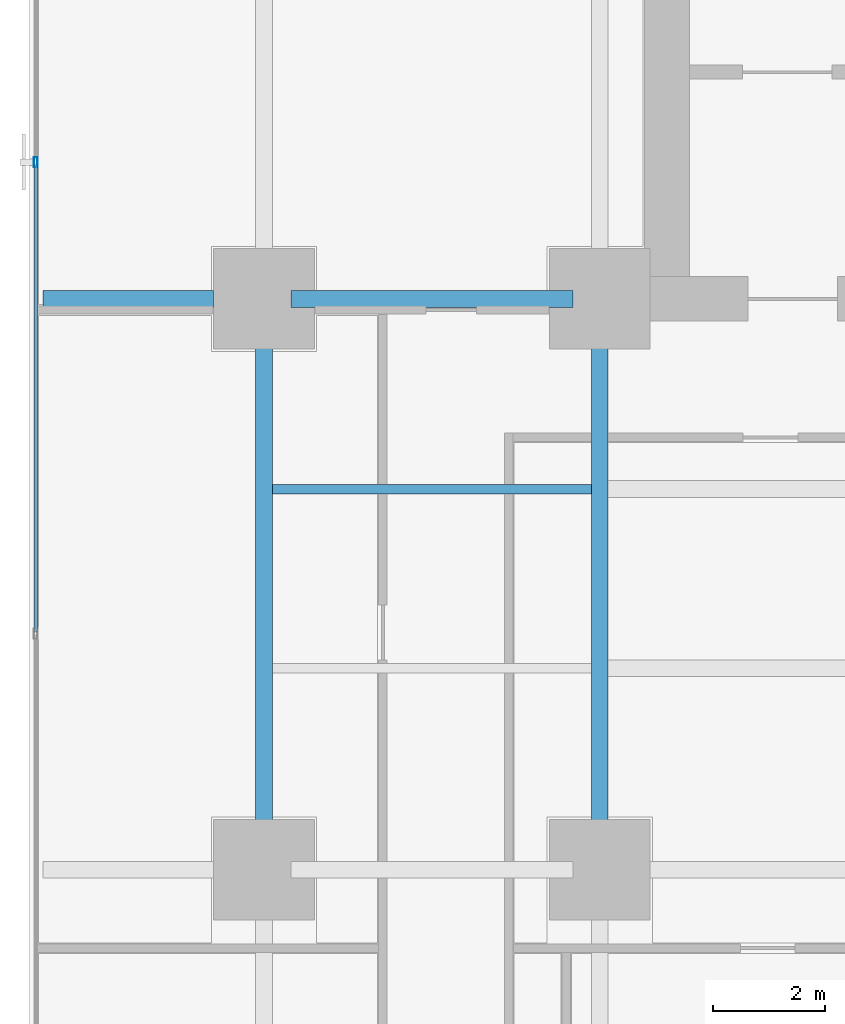
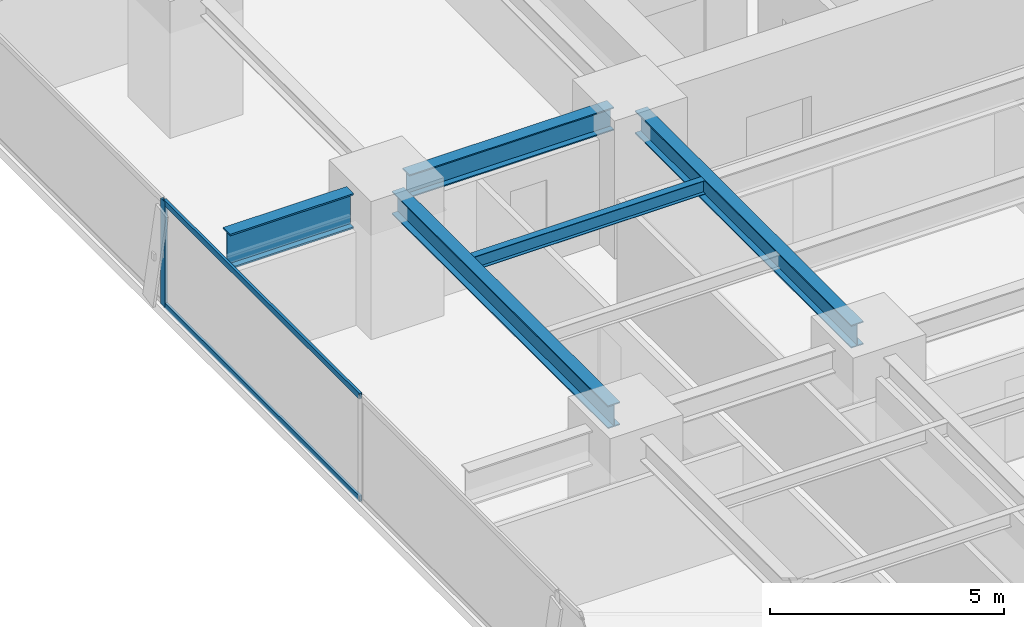
# One storey, part 15 of 32: 5 beams, 3 members, 1 element without a shape of its own.
"""IFC4 building model written with IfcOpenShell, lengths in metres."""

from ifc_helpers import new_model, si_unit, direction, frame, origin, origin_2d, place, context, subcontext, project, spatial, hollow_rectangle, i_section, extrude, source, transform, mapped, material, layer, layer_set, material_profile, profile_set, type_object, element, aggregate, save


model = new_model("IFC4")

# Units and contexts
model_context = context("Model", 3, precision=1e-05, world=origin(), true_north=direction((0.0, 1.0)))
body_context = subcontext(model_context, "Body", "Model", "MODEL_VIEW")
ifc_project = project(units=[si_unit("LENGTHUNIT", "METRE"), si_unit("AREAUNIT", "SQUARE_METRE"), si_unit("VOLUMEUNIT", "CUBIC_METRE"), si_unit("PLANEANGLEUNIT", "RADIAN"), si_unit("MASSUNIT", "GRAM", prefix="KILO")], contexts=[model_context])

# Site, building, storey
site_placement = place(None, origin())
site = spatial("IfcSite", under=ifc_project, at=site_placement, CompositionType="ELEMENT")
building_placement = place(site_placement, origin())
building = spatial("IfcBuilding", under=site, at=building_placement, Name="Sumidabori Civic Tower", CompositionType="ELEMENT")
storey_placement = place(building_placement, frame((0.0, 0.0, 52.39990234375)))
storey = spatial("IfcBuildingStorey", under=building, at=storey_placement, Name="L13", CompositionType="ELEMENT", Elevation=52.39990234375)

# Beams
ifc_material_1 = material(Name="Steel SN490", Category="steel")
ifc_material_profile_1 = material_profile(ifc_material_1, i_section(OverallWidth=0.300048828125, OverallDepth=0.60009765625, WebThickness=0.015380859375, FlangeThickness=0.030029296875, at=origin_2d()), Name="HE 600 B")
ifc_profile_set_1 = profile_set([ifc_material_profile_1], Name="Steel SN490")
beam_type_1 = type_object("IfcBeamType", Name="BM-GIRD-600", PredefinedType="BEAM", material=ifc_profile_set_1)
shared_shape_1 = source(origin(), body_context, "Body", "SweptSolid", [
    extrude(i_section(OverallWidth=0.300048828125, OverallDepth=0.60009765625, WebThickness=0.015380859375, FlangeThickness=0.030029296875, at=origin_2d()), origin(), (0.0, 0.0, 1.0), 5.0400390625),
])
beam_1_placement = place(storey_placement, frame((-22.320068359375, 10.199951171875, 3.06005859375), z_axis=(1.0, 0.0, 0.0), x_axis=(0.0, 1.0, 0.0)))
element("IfcBeam", 1, at=beam_1_placement, inside=storey, type_object=beam_type_1, Name="Primary Girder L13 GX-19", PredefinedType="BEAM", context=body_context, shape_type="MappedRepresentation", body=[
    mapped(shared_shape_1, transform((0.0, 0.0, 0.0), x_axis=(1.0, 0.0, 0.0), y_axis=(0.0, 1.0, 0.0), z_axis=(0.0, 0.0, 1.0), scale=1.0)),
])
shared_shape_2 = source(origin(), body_context, "Body", "SweptSolid", [
    extrude(i_section(OverallWidth=0.300048828125, OverallDepth=0.60009765625, WebThickness=0.015380859375, FlangeThickness=0.030029296875, at=origin_2d()), origin(), (0.0, 0.0, 1.0), 9.239990234375),
])
for number, where, z_axis, x_axis, name in (
    (2, (-22.800048828125, 0.47998046875, 3.06005859375), (0.0, 1.0, 0.0), (-1.0, 0.0, 0.0), "Primary Girder L13 GY-23"),
    (3, (-16.800048828125, 0.47998046875, 3.06005859375), (0.0, 1.0, 0.0), (-1.0, 0.0, 0.0), "Primary Girder L13 GY-27"),
):
    element("IfcBeam", number, at=place(storey_placement, frame(where, z_axis=z_axis, x_axis=x_axis)), inside=storey, type_object=beam_type_1, Name=name, PredefinedType="BEAM", context=body_context, shape_type="MappedRepresentation", body=[
        mapped(shared_shape_2, transform((0.0, 0.0, 0.0), x_axis=(1.0, 0.0, 0.0), y_axis=(0.0, 1.0, 0.0), z_axis=(0.0, 0.0, 1.0), scale=1.0)),
    ])
ifc_material_profile_2 = material_profile(ifc_material_1, i_section(OverallWidth=0.302001953125, OverallDepth=0.909912109375, WebThickness=0.02099609375, FlangeThickness=0.0400390625, at=origin_2d()), Name="HE 900 M")
ifc_profile_set_2 = profile_set([ifc_material_profile_2], Name="Steel SN490")
beam_type_2 = type_object("IfcBeamType", Name="BM-Z1-EDGE", PredefinedType="SPANDREL", material=ifc_profile_set_2)
shared_shape_3 = source(origin(), body_context, "Body", "SweptSolid", [
    extrude(i_section(OverallWidth=0.302001953125, OverallDepth=0.909912109375, WebThickness=0.02099609375, FlangeThickness=0.0400390625, at=origin_2d()), origin(), (0.0, 0.0, 1.0), 3.050048828125),
])
beam_2_placement = place(storey_placement, frame((-26.75, 10.199951171875, 2.905029296875), z_axis=(1.0, 0.0, 0.0), x_axis=(0.0, 1.0, 0.0)))
element("IfcBeam", 4, at=beam_2_placement, inside=storey, type_object=beam_type_2, Name="Perimeter Overhang Beam L13 W-48", PredefinedType="SPANDREL", context=body_context, shape_type="MappedRepresentation", body=[
    mapped(shared_shape_3, transform((0.0, 0.0, 0.0), x_axis=(1.0, 0.0, 0.0), y_axis=(0.0, 1.0, 0.0), z_axis=(0.0, 0.0, 1.0), scale=1.0)),
])
ifc_material_profile_3 = material_profile(ifc_material_1, i_section(OverallWidth=0.169921875, OverallDepth=0.360107421875, WebThickness=0.008056640625, FlangeThickness=0.0126953125, at=origin_2d()), Name="IPE 360")
ifc_profile_set_3 = profile_set([ifc_material_profile_3], Name="Steel SN490")
beam_type_3 = type_object("IfcBeamType", Name="BM-JST-360", PredefinedType="JOIST", material=ifc_profile_set_3)
shared_shape_4 = source(origin(), body_context, "Body", "SweptSolid", [
    extrude(i_section(OverallWidth=0.169921875, OverallDepth=0.360107421875, WebThickness=0.008056640625, FlangeThickness=0.0126953125, at=origin_2d()), origin(), (0.0, 0.0, 1.0), 5.699951171875),
])
beam_3_placement = place(storey_placement, frame((-22.64990234375, 6.800048828125, 3.18017578125), z_axis=(1.0, 0.0, 0.0), x_axis=(0.0, 1.0, 0.0)))
element("IfcBeam", 5, at=beam_3_placement, inside=storey, type_object=beam_type_3, Name="Outer Bay Floor Joist L13 JSTO-55", PredefinedType="JOIST", context=body_context, shape_type="MappedRepresentation", body=[
    mapped(shared_shape_4, transform((0.0, 0.0, 0.0), x_axis=(1.0, 0.0, 0.0), y_axis=(0.0, 1.0, 0.0), z_axis=(0.0, 0.0, 1.0), scale=1.0)),
])

# Curtain wall, members
ifc_material_2 = material(Name="Anodised Bronze Aluminium AW-6063-T6", Category="aluminium")
ifc_layer = layer(ifc_material_2, 0.179931640625, Name="Anodised Bronze Aluminium AW-6063-T6")
ifc_layer_set = layer_set([ifc_layer], Name="Anodised Bronze Aluminium AW-6063-T6")
curtain_wall_type = type_object("IfcCurtainWallType", Name="CW-SYS-2", PredefinedType="NOTDEFINED", material=ifc_layer_set)
curtain_wall_placement = place(storey_placement, origin())
curtain_wall = element("IfcCurtainWall", 6, at=curtain_wall_placement, inside=storey, type_object=curtain_wall_type, Name="Curtain Wall CW:L13:R10", PredefinedType="NOTDEFINED")
ifc_material_profile_4 = material_profile(ifc_material_2, hollow_rectangle(XDim=0.070068359375, YDim=0.179931640625, WallThickness=0.006103515625, at=origin_2d()), Name="ALU MULLION 180x70")
ifc_profile_set_4 = profile_set([ifc_material_profile_4], Name="Anodised Bronze Aluminium AW-6063-T6")
member_type_1 = type_object("IfcMemberType", Name="CW-MUL-180", PredefinedType="MULLION", material=ifc_profile_set_4)
shared_shape_5 = source(origin(), body_context, "Body", "SweptSolid", [
    extrude(hollow_rectangle(XDim=0.070068359375, YDim=0.179931640625, WallThickness=0.006103515625, at=origin_2d()), origin(), (0.0, 0.0, 1.0), 2.739990234375),
])
member_1_placement = place(storey_placement, frame((-26.8798828125, 12.64208984375, 0.0), z_axis=(0.0, 0.0, 1.0), x_axis=(1.0, 0.0, 0.0)))
member_1 = element("IfcMember", 7, at=member_1_placement, type_object=member_type_1, Name="CW-2 mullion 2", PredefinedType="MULLION", context=body_context, shape_type="MappedRepresentation", body=[
    mapped(shared_shape_5, transform((0.0, 0.0, 0.0), x_axis=(1.0, 0.0, 0.0), y_axis=(0.0, 1.0, 0.0), z_axis=(0.0, 0.0, 1.0), scale=1.0)),
])
ifc_material_profile_5 = material_profile(ifc_material_2, hollow_rectangle(XDim=0.06494140625, YDim=0.14990234375, WallThickness=0.0048828125, at=origin_2d()), Name="ALU TRANSOM 150x65")
ifc_profile_set_5 = profile_set([ifc_material_profile_5], Name="Anodised Bronze Aluminium AW-6063-T6")
member_type_2 = type_object("IfcMemberType", Name="CW-TRN-150", PredefinedType="USERDEFINED", material=ifc_profile_set_5)
shared_shape_6 = source(origin(), body_context, "Body", "SweptSolid", [
    extrude(hollow_rectangle(XDim=0.06494140625, YDim=0.14990234375, WallThickness=0.0048828125, at=origin_2d()), origin(), (0.0, 0.0, 1.0), 8.35791015625),
])
member_2_placement = place(storey_placement, frame((-26.8798828125, 12.60693359375, 0.03271484375), z_axis=(0.0, -1.0, 0.0), x_axis=(1.0, 0.0, 0.0)))
member_2 = element("IfcMember", 8, at=member_2_placement, type_object=member_type_2, Name="CW-2 transom 2.1", ObjectType="TRANSOM", PredefinedType="USERDEFINED", context=body_context, shape_type="MappedRepresentation", body=[
    mapped(shared_shape_6, transform((0.0, 0.0, 0.0), x_axis=(1.0, 0.0, 0.0), y_axis=(0.0, 1.0, 0.0), z_axis=(0.0, 0.0, 1.0), scale=1.0)),
])
member_3_placement = place(storey_placement, frame((-26.8798828125, 12.60693359375, 2.70751953125), z_axis=(0.0, -1.0, 0.0), x_axis=(1.0, 0.0, 0.0)))
member_3 = element("IfcMember", 9, at=member_3_placement, type_object=member_type_2, Name="CW-2 transom 2.2", ObjectType="TRANSOM", PredefinedType="USERDEFINED", context=body_context, shape_type="MappedRepresentation", body=[
    mapped(shared_shape_6, transform((0.0, 0.0, 0.0), x_axis=(1.0, 0.0, 0.0), y_axis=(0.0, 1.0, 0.0), z_axis=(0.0, 0.0, 1.0), scale=1.0)),
])
aggregate(curtain_wall, [member_1, member_2, member_3])

save(model, "model.ifc")
